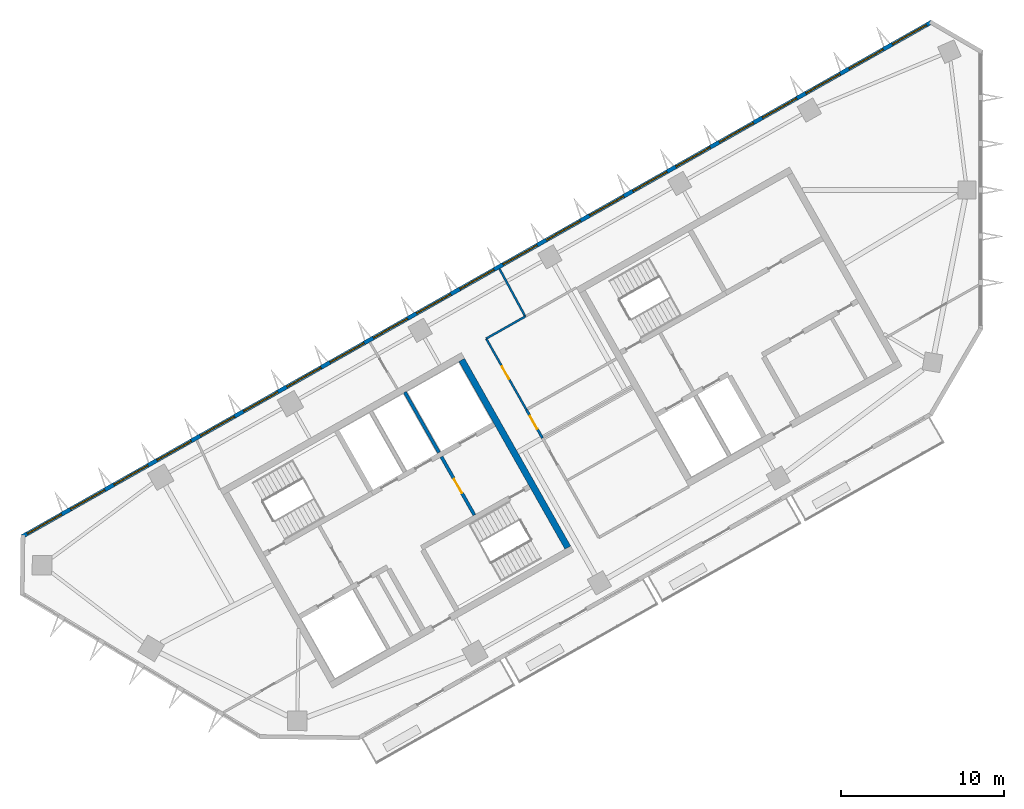
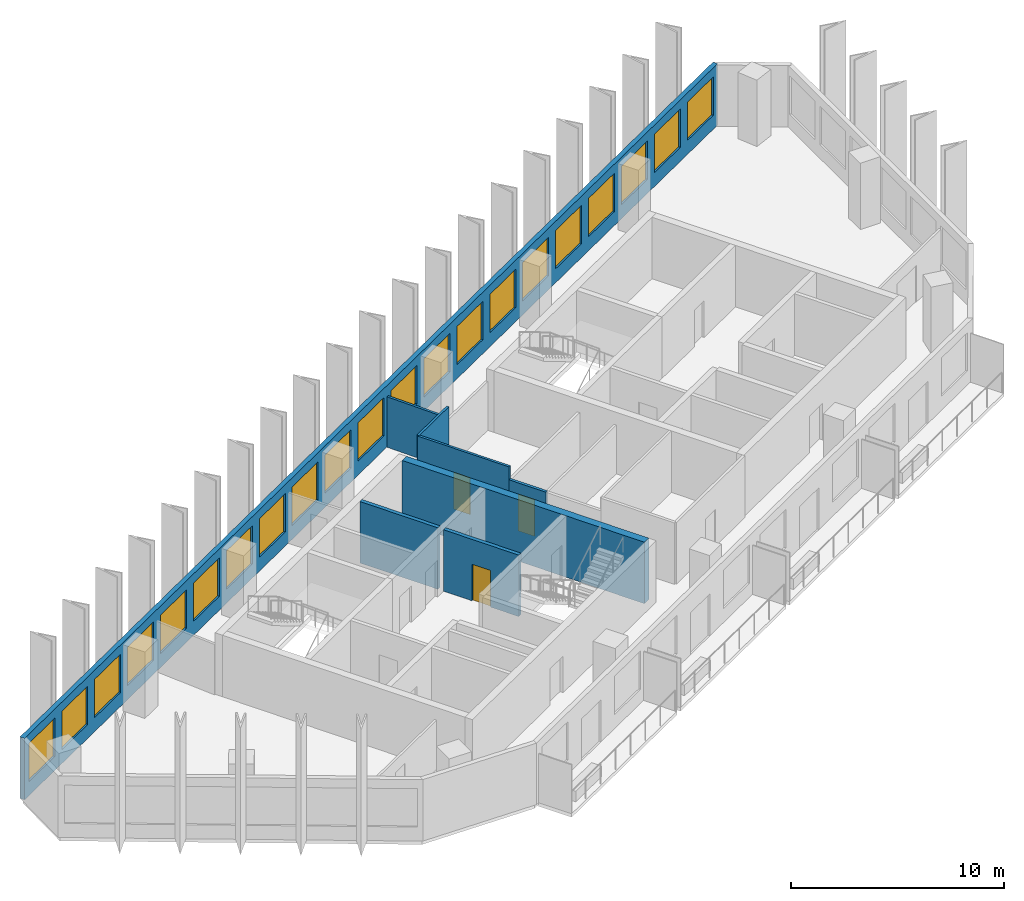
# One storey, part 3 of 8: 21 windows, 8 walls, 3 doors, 24 openings.
"""IFC4 building model written with IfcOpenShell, lengths in metres."""

from ifc_helpers import new_model, si_unit, direction, frame, frame_2d, origin, place, context, subcontext, project, spatial, rectangle, extrude, material, layer, layer_set, type_object, element, fill, save


model = new_model("IFC4")

# Units and contexts
model_context = context("Model", 3, precision=1e-05, world=origin(), true_north=direction((0.0, 1.0)))
body_context = subcontext(model_context, "Body", "Model", "MODEL_VIEW")
ifc_project = project(units=[si_unit("LENGTHUNIT", "METRE"), si_unit("AREAUNIT", "SQUARE_METRE"), si_unit("VOLUMEUNIT", "CUBIC_METRE"), si_unit("PLANEANGLEUNIT", "RADIAN"), si_unit("MASSUNIT", "GRAM", prefix="KILO")], contexts=[model_context])

# Site, building, storey
site_placement = place(None, origin())
site = spatial("IfcSite", under=ifc_project, at=site_placement, CompositionType="ELEMENT")
building_placement = place(site_placement, origin())
building = spatial("IfcBuilding", under=site, at=building_placement, Name="Binnacle Exchange Tower", CompositionType="ELEMENT")
storey_placement = place(building_placement, frame((0.0, 0.0, 277.89990234375)))
storey = spatial("IfcBuildingStorey", under=building, at=storey_placement, Name="L62", CompositionType="ELEMENT", Elevation=277.89990234375)

# Wall
ifc_material_1 = material(Name="Concrete C70/85", Category="concrete")
ifc_layer_1 = layer(ifc_material_1, 0.39990234375)
ifc_layer_set_1 = layer_set([ifc_layer_1], Name="Core wall - outer 400")
wall_type_1 = type_object("IfcWallType", Name="Core wall - outer 400", PredefinedType="SOLIDWALL", material=ifc_layer_set_1)
wall_1_placement = place(storey_placement, frame((-31.78955078125, 49.597412109375, 0.0), z_axis=(0.0, 0.0, 1.0), x_axis=(0.492421663121, -0.870356769198, 0.0)))
element("IfcWall", 1, at=wall_1_placement, inside=storey, type_object=wall_type_1, Name="Core wall CRWA22", PredefinedType="SOLIDWALL", context=body_context, shape_type="SweptSolid", body=[
    extrude(rectangle(XDim=13.199951171875, YDim=0.39990234375, at=frame_2d((6.60009765625, 0.0))), origin(), (0.0, 0.0, 1.0), 3.52001953125),
])

# Wall, openings, windows
ifc_material_2 = material(Name="Bronze aluminium cladding", Category="aluminium")
ifc_layer_2 = layer(ifc_material_2, 0.25)
ifc_layer_set_2 = layer_set([ifc_layer_2], Name="External wall - window wall 250")
wall_type_2 = type_object("IfcWallType", Name="External wall - window wall 250", PredefinedType="STANDARD", material=ifc_layer_set_2)
wall_2_placement = place(storey_placement, frame((-58.732177734375, 38.770751953125, 0.0), z_axis=(0.0, 0.0, 1.0), x_axis=(0.870355615581, 0.492423702137, 0.0)))
wall_2 = element("IfcWall", 2, at=wall_2_placement, inside=storey, type_object=wall_type_2, Name="External wall EW-H03 L62", PredefinedType="STANDARD", context=body_context, shape_type="SweptSolid", body=[
    extrude(rectangle(XDim=64.052490234375, YDim=0.25, at=frame_2d((32.0263671875, 0.0))), origin(), (0.0, 0.0, 1.0), 3.52001953125),
])
opening_1_placement = place(wall_2_placement, frame((61.25927734375, 0.0, 0.800048828125)))
opening_1 = element("IfcOpeningElement", 3, at=opening_1_placement, cuts=wall_2, Name="Opening WR2", PredefinedType="OPENING", context=body_context, shape_type="SweptSolid", body=[
    extrude(rectangle(XDim=2.39990234375, YDim=2.199951171875, at=frame_2d((1.199951171875, 1.10009765625))), frame((0.0, 0.135009765625, 0.0), z_axis=(0.0, -1.0, 0.0), x_axis=(1.0, 0.0, 0.0)), (0.0, 0.0, 1.0), 0.27001953125),
])
opening_2_placement = place(wall_2_placement, frame((58.2158203125, 0.0, 0.800048828125)))
opening_2 = element("IfcOpeningElement", 4, at=opening_2_placement, cuts=wall_2, Name="Opening WR2", PredefinedType="OPENING", context=body_context, shape_type="SweptSolid", body=[
    extrude(rectangle(XDim=2.39990234375, YDim=2.199951171875, at=frame_2d((1.199951171875, 1.10009765625))), frame((0.0, 0.135009765625, 0.0), z_axis=(0.0, -1.0, 0.0), x_axis=(1.0, 0.0, 0.0)), (0.0, 0.0, 1.0), 0.27001953125),
])
opening_3_placement = place(wall_2_placement, frame((55.172607421875, 0.0, 0.800048828125)))
opening_3 = element("IfcOpeningElement", 5, at=opening_3_placement, cuts=wall_2, Name="Opening WR2", PredefinedType="OPENING", context=body_context, shape_type="SweptSolid", body=[
    extrude(rectangle(XDim=2.39990234375, YDim=2.199951171875, at=frame_2d((1.199951171875, 1.10009765625))), frame((0.0, 0.135009765625, 0.0), z_axis=(0.0, -1.0, 0.0), x_axis=(1.0, 0.0, 0.0)), (0.0, 0.0, 1.0), 0.27001953125),
])
opening_4_placement = place(wall_2_placement, frame((52.12939453125, 0.0, 0.800048828125)))
opening_4 = element("IfcOpeningElement", 6, at=opening_4_placement, cuts=wall_2, Name="Opening WR2", PredefinedType="OPENING", context=body_context, shape_type="SweptSolid", body=[
    extrude(rectangle(XDim=2.39990234375, YDim=2.199951171875, at=frame_2d((1.199951171875, 1.10009765625))), frame((0.0, 0.135009765625, 0.0), z_axis=(0.0, -1.0, 0.0), x_axis=(1.0, 0.0, 0.0)), (0.0, 0.0, 1.0), 0.27001953125),
])
opening_5_placement = place(wall_2_placement, frame((49.0859375, 0.0, 0.800048828125)))
opening_5 = element("IfcOpeningElement", 7, at=opening_5_placement, cuts=wall_2, Name="Opening WR2", PredefinedType="OPENING", context=body_context, shape_type="SweptSolid", body=[
    extrude(rectangle(XDim=2.39990234375, YDim=2.199951171875, at=frame_2d((1.199951171875, 1.10009765625))), frame((0.0, 0.135009765625, 0.0), z_axis=(0.0, -1.0, 0.0), x_axis=(1.0, 0.0, 0.0)), (0.0, 0.0, 1.0), 0.27001953125),
])
opening_6_placement = place(wall_2_placement, frame((46.042724609375, 0.0, 0.800048828125)))
opening_6 = element("IfcOpeningElement", 8, at=opening_6_placement, cuts=wall_2, Name="Opening WR2", PredefinedType="OPENING", context=body_context, shape_type="SweptSolid", body=[
    extrude(rectangle(XDim=2.39990234375, YDim=2.199951171875, at=frame_2d((1.199951171875, 1.10009765625))), frame((0.0, 0.135009765625, 0.0), z_axis=(0.0, -1.0, 0.0), x_axis=(1.0, 0.0, 0.0)), (0.0, 0.0, 1.0), 0.27001953125),
])
opening_7_placement = place(wall_2_placement, frame((42.99951171875, 0.0, 0.800048828125)))
opening_7 = element("IfcOpeningElement", 9, at=opening_7_placement, cuts=wall_2, Name="Opening WR2", PredefinedType="OPENING", context=body_context, shape_type="SweptSolid", body=[
    extrude(rectangle(XDim=2.39990234375, YDim=2.199951171875, at=frame_2d((1.199951171875, 1.10009765625))), frame((0.0, 0.135009765625, 0.0), z_axis=(0.0, -1.0, 0.0), x_axis=(1.0, 0.0, 0.0)), (0.0, 0.0, 1.0), 0.27001953125),
])
opening_8_placement = place(wall_2_placement, frame((39.956298828125, 0.0, 0.800048828125)))
opening_8 = element("IfcOpeningElement", 10, at=opening_8_placement, cuts=wall_2, Name="Opening WR2", PredefinedType="OPENING", context=body_context, shape_type="SweptSolid", body=[
    extrude(rectangle(XDim=2.39990234375, YDim=2.199951171875, at=frame_2d((1.199951171875, 1.10009765625))), frame((0.0, 0.135009765625, 0.0), z_axis=(0.0, -1.0, 0.0), x_axis=(1.0, 0.0, 0.0)), (0.0, 0.0, 1.0), 0.27001953125),
])
opening_9_placement = place(wall_2_placement, frame((36.912841796875, 0.0, 0.800048828125)))
opening_9 = element("IfcOpeningElement", 11, at=opening_9_placement, cuts=wall_2, Name="Opening WR2", PredefinedType="OPENING", context=body_context, shape_type="SweptSolid", body=[
    extrude(rectangle(XDim=2.39990234375, YDim=2.199951171875, at=frame_2d((1.199951171875, 1.10009765625))), frame((0.0, 0.135009765625, 0.0), z_axis=(0.0, -1.0, 0.0), x_axis=(1.0, 0.0, 0.0)), (0.0, 0.0, 1.0), 0.27001953125),
])
opening_10_placement = place(wall_2_placement, frame((33.86962890625, 0.0, 0.800048828125)))
opening_10 = element("IfcOpeningElement", 12, at=opening_10_placement, cuts=wall_2, Name="Opening WR2", PredefinedType="OPENING", context=body_context, shape_type="SweptSolid", body=[
    extrude(rectangle(XDim=2.39990234375, YDim=2.199951171875, at=frame_2d((1.199951171875, 1.10009765625))), frame((0.0, 0.135009765625, 0.0), z_axis=(0.0, -1.0, 0.0), x_axis=(1.0, 0.0, 0.0)), (0.0, 0.0, 1.0), 0.27001953125),
])
opening_11_placement = place(wall_2_placement, frame((30.826416015625, 0.0, 0.800048828125)))
opening_11 = element("IfcOpeningElement", 13, at=opening_11_placement, cuts=wall_2, Name="Opening WR2", PredefinedType="OPENING", context=body_context, shape_type="SweptSolid", body=[
    extrude(rectangle(XDim=2.39990234375, YDim=2.199951171875, at=frame_2d((1.199951171875, 1.10009765625))), frame((0.0, 0.135009765625, 0.0), z_axis=(0.0, -1.0, 0.0), x_axis=(1.0, 0.0, 0.0)), (0.0, 0.0, 1.0), 0.27001953125),
])
opening_12_placement = place(wall_2_placement, frame((27.782958984375, 0.0, 0.800048828125)))
opening_12 = element("IfcOpeningElement", 14, at=opening_12_placement, cuts=wall_2, Name="Opening WR2", PredefinedType="OPENING", context=body_context, shape_type="SweptSolid", body=[
    extrude(rectangle(XDim=2.39990234375, YDim=2.199951171875, at=frame_2d((1.199951171875, 1.10009765625))), frame((0.0, 0.135009765625, 0.0), z_axis=(0.0, -1.0, 0.0), x_axis=(1.0, 0.0, 0.0)), (0.0, 0.0, 1.0), 0.27001953125),
])
opening_13_placement = place(wall_2_placement, frame((24.73974609375, 0.0, 0.800048828125)))
opening_13 = element("IfcOpeningElement", 15, at=opening_13_placement, cuts=wall_2, Name="Opening WR2", PredefinedType="OPENING", context=body_context, shape_type="SweptSolid", body=[
    extrude(rectangle(XDim=2.39990234375, YDim=2.199951171875, at=frame_2d((1.199951171875, 1.10009765625))), frame((0.0, 0.135009765625, 0.0), z_axis=(0.0, -1.0, 0.0), x_axis=(1.0, 0.0, 0.0)), (0.0, 0.0, 1.0), 0.27001953125),
])
opening_14_placement = place(wall_2_placement, frame((21.6962890625, 0.0, 0.800048828125)))
opening_14 = element("IfcOpeningElement", 16, at=opening_14_placement, cuts=wall_2, Name="Opening WR2", PredefinedType="OPENING", context=body_context, shape_type="SweptSolid", body=[
    extrude(rectangle(XDim=2.39990234375, YDim=2.199951171875, at=frame_2d((1.199951171875, 1.10009765625))), frame((0.0, 0.135009765625, 0.0), z_axis=(0.0, -1.0, 0.0), x_axis=(1.0, 0.0, 0.0)), (0.0, 0.0, 1.0), 0.27001953125),
])
opening_15_placement = place(wall_2_placement, frame((18.6533203125, 0.0, 0.800048828125)))
opening_15 = element("IfcOpeningElement", 17, at=opening_15_placement, cuts=wall_2, Name="Opening WR2", PredefinedType="OPENING", context=body_context, shape_type="SweptSolid", body=[
    extrude(rectangle(XDim=2.39990234375, YDim=2.199951171875, at=frame_2d((1.199951171875, 1.10009765625))), frame((0.0, 0.135009765625, 0.0), z_axis=(0.0, -1.0, 0.0), x_axis=(1.0, 0.0, 0.0)), (0.0, 0.0, 1.0), 0.27001953125),
])
opening_16_placement = place(wall_2_placement, frame((15.60986328125, 0.0, 0.800048828125)))
opening_16 = element("IfcOpeningElement", 18, at=opening_16_placement, cuts=wall_2, Name="Opening WR2", PredefinedType="OPENING", context=body_context, shape_type="SweptSolid", body=[
    extrude(rectangle(XDim=2.39990234375, YDim=2.199951171875, at=frame_2d((1.199951171875, 1.10009765625))), frame((0.0, 0.135009765625, 0.0), z_axis=(0.0, -1.0, 0.0), x_axis=(1.0, 0.0, 0.0)), (0.0, 0.0, 1.0), 0.27001953125),
])
opening_17_placement = place(wall_2_placement, frame((12.566650390625, 0.0, 0.800048828125)))
opening_17 = element("IfcOpeningElement", 19, at=opening_17_placement, cuts=wall_2, Name="Opening WR2", PredefinedType="OPENING", context=body_context, shape_type="SweptSolid", body=[
    extrude(rectangle(XDim=2.39990234375, YDim=2.199951171875, at=frame_2d((1.199951171875, 1.10009765625))), frame((0.0, 0.135009765625, 0.0), z_axis=(0.0, -1.0, 0.0), x_axis=(1.0, 0.0, 0.0)), (0.0, 0.0, 1.0), 0.27001953125),
])
opening_18_placement = place(wall_2_placement, frame((9.523193359375, 0.0, 0.800048828125)))
opening_18 = element("IfcOpeningElement", 20, at=opening_18_placement, cuts=wall_2, Name="Opening WR2", PredefinedType="OPENING", context=body_context, shape_type="SweptSolid", body=[
    extrude(rectangle(XDim=2.39990234375, YDim=2.199951171875, at=frame_2d((1.199951171875, 1.10009765625))), frame((0.0, 0.135009765625, 0.0), z_axis=(0.0, -1.0, 0.0), x_axis=(1.0, 0.0, 0.0)), (0.0, 0.0, 1.0), 0.27001953125),
])
opening_19_placement = place(wall_2_placement, frame((6.47998046875, 0.0, 0.800048828125)))
opening_19 = element("IfcOpeningElement", 21, at=opening_19_placement, cuts=wall_2, Name="Opening WR2", PredefinedType="OPENING", context=body_context, shape_type="SweptSolid", body=[
    extrude(rectangle(XDim=2.39990234375, YDim=2.199951171875, at=frame_2d((1.199951171875, 1.10009765625))), frame((0.0, 0.135009765625, 0.0), z_axis=(0.0, -1.0, 0.0), x_axis=(1.0, 0.0, 0.0)), (0.0, 0.0, 1.0), 0.27001953125),
])
opening_20_placement = place(wall_2_placement, frame((3.436767578125, 0.0, 0.800048828125)))
opening_20 = element("IfcOpeningElement", 22, at=opening_20_placement, cuts=wall_2, Name="Opening WR2", PredefinedType="OPENING", context=body_context, shape_type="SweptSolid", body=[
    extrude(rectangle(XDim=2.39990234375, YDim=2.199951171875, at=frame_2d((1.199951171875, 1.10009765625))), frame((0.0, 0.135009765625, 0.0), z_axis=(0.0, -1.0, 0.0), x_axis=(1.0, 0.0, 0.0)), (0.0, 0.0, 1.0), 0.27001953125),
])
opening_21_placement = place(wall_2_placement, frame((0.393310546875, 0.0, 0.800048828125)))
opening_21 = element("IfcOpeningElement", 23, at=opening_21_placement, cuts=wall_2, Name="Opening WR2", PredefinedType="OPENING", context=body_context, shape_type="SweptSolid", body=[
    extrude(rectangle(XDim=2.39990234375, YDim=2.199951171875, at=frame_2d((1.199951171875, 1.10009765625))), frame((0.0, 0.135009765625, 0.0), z_axis=(0.0, -1.0, 0.0), x_axis=(1.0, 0.0, 0.0)), (0.0, 0.0, 1.0), 0.27001953125),
])
ifc_material_3 = material(Name="Bronze anodised aluminium frame", Category="aluminium")
window_type = type_object("IfcWindowType", Name="WR2 WINDOW 2400x2200", PartitioningType="SINGLE_PANEL", PredefinedType="WINDOW", material=ifc_material_3)
window_1_placement = place(opening_1_placement, origin())
window_1 = element("IfcWindow", 24, at=window_1_placement, inside=storey, type_object=window_type, Name="Window WR2 L62", OverallHeight=2.199951171875, OverallWidth=2.39990234375, PartitioningType="SINGLE_PANEL", PredefinedType="WINDOW", context=body_context, shape_type="SweptSolid", body=[
    extrude(rectangle(XDim=2.39990234375, YDim=2.199951171875, at=frame_2d((1.199951171875, 1.10009765625))), frame((0.0, 0.030029296875, 0.0), z_axis=(0.0, -1.0, 0.0), x_axis=(1.0, 0.0, 0.0)), (0.0, 0.0, 1.0), 0.06005859375),
])
fill(opening_1, window_1)
window_2_placement = place(opening_2_placement, origin())
window_2 = element("IfcWindow", 25, at=window_2_placement, inside=storey, type_object=window_type, Name="Window WR2 L62", OverallHeight=2.199951171875, OverallWidth=2.39990234375, PartitioningType="SINGLE_PANEL", PredefinedType="WINDOW", context=body_context, shape_type="SweptSolid", body=[
    extrude(rectangle(XDim=2.39990234375, YDim=2.199951171875, at=frame_2d((1.199951171875, 1.10009765625))), frame((0.0, 0.030029296875, 0.0), z_axis=(0.0, -1.0, 0.0), x_axis=(1.0, 0.0, 0.0)), (0.0, 0.0, 1.0), 0.06005859375),
])
fill(opening_2, window_2)
window_3_placement = place(opening_3_placement, origin())
window_3 = element("IfcWindow", 26, at=window_3_placement, inside=storey, type_object=window_type, Name="Window WR2 L62", OverallHeight=2.199951171875, OverallWidth=2.39990234375, PartitioningType="SINGLE_PANEL", PredefinedType="WINDOW", context=body_context, shape_type="SweptSolid", body=[
    extrude(rectangle(XDim=2.39990234375, YDim=2.199951171875, at=frame_2d((1.199951171875, 1.10009765625))), frame((0.0, 0.030029296875, 0.0), z_axis=(0.0, -1.0, 0.0), x_axis=(1.0, 0.0, 0.0)), (0.0, 0.0, 1.0), 0.06005859375),
])
fill(opening_3, window_3)
window_4_placement = place(opening_4_placement, origin())
window_4 = element("IfcWindow", 27, at=window_4_placement, inside=storey, type_object=window_type, Name="Window WR2 L62", OverallHeight=2.199951171875, OverallWidth=2.39990234375, PartitioningType="SINGLE_PANEL", PredefinedType="WINDOW", context=body_context, shape_type="SweptSolid", body=[
    extrude(rectangle(XDim=2.39990234375, YDim=2.199951171875, at=frame_2d((1.199951171875, 1.10009765625))), frame((0.0, 0.030029296875, 0.0), z_axis=(0.0, -1.0, 0.0), x_axis=(1.0, 0.0, 0.0)), (0.0, 0.0, 1.0), 0.06005859375),
])
fill(opening_4, window_4)
window_5_placement = place(opening_5_placement, origin())
window_5 = element("IfcWindow", 28, at=window_5_placement, inside=storey, type_object=window_type, Name="Window WR2 L62", OverallHeight=2.199951171875, OverallWidth=2.39990234375, PartitioningType="SINGLE_PANEL", PredefinedType="WINDOW", context=body_context, shape_type="SweptSolid", body=[
    extrude(rectangle(XDim=2.39990234375, YDim=2.199951171875, at=frame_2d((1.199951171875, 1.10009765625))), frame((0.0, 0.030029296875, 0.0), z_axis=(0.0, -1.0, 0.0), x_axis=(1.0, 0.0, 0.0)), (0.0, 0.0, 1.0), 0.06005859375),
])
fill(opening_5, window_5)
window_6_placement = place(opening_6_placement, origin())
window_6 = element("IfcWindow", 29, at=window_6_placement, inside=storey, type_object=window_type, Name="Window WR2 L62", OverallHeight=2.199951171875, OverallWidth=2.39990234375, PartitioningType="SINGLE_PANEL", PredefinedType="WINDOW", context=body_context, shape_type="SweptSolid", body=[
    extrude(rectangle(XDim=2.39990234375, YDim=2.199951171875, at=frame_2d((1.199951171875, 1.10009765625))), frame((0.0, 0.030029296875, 0.0), z_axis=(0.0, -1.0, 0.0), x_axis=(1.0, 0.0, 0.0)), (0.0, 0.0, 1.0), 0.06005859375),
])
fill(opening_6, window_6)
window_7_placement = place(opening_7_placement, origin())
window_7 = element("IfcWindow", 30, at=window_7_placement, inside=storey, type_object=window_type, Name="Window WR2 L62", OverallHeight=2.199951171875, OverallWidth=2.39990234375, PartitioningType="SINGLE_PANEL", PredefinedType="WINDOW", context=body_context, shape_type="SweptSolid", body=[
    extrude(rectangle(XDim=2.39990234375, YDim=2.199951171875, at=frame_2d((1.199951171875, 1.10009765625))), frame((0.0, 0.030029296875, 0.0), z_axis=(0.0, -1.0, 0.0), x_axis=(1.0, 0.0, 0.0)), (0.0, 0.0, 1.0), 0.06005859375),
])
fill(opening_7, window_7)
window_8_placement = place(opening_8_placement, origin())
window_8 = element("IfcWindow", 31, at=window_8_placement, inside=storey, type_object=window_type, Name="Window WR2 L62", OverallHeight=2.199951171875, OverallWidth=2.39990234375, PartitioningType="SINGLE_PANEL", PredefinedType="WINDOW", context=body_context, shape_type="SweptSolid", body=[
    extrude(rectangle(XDim=2.39990234375, YDim=2.199951171875, at=frame_2d((1.199951171875, 1.10009765625))), frame((0.0, 0.030029296875, 0.0), z_axis=(0.0, -1.0, 0.0), x_axis=(1.0, 0.0, 0.0)), (0.0, 0.0, 1.0), 0.06005859375),
])
fill(opening_8, window_8)
window_9_placement = place(opening_9_placement, origin())
window_9 = element("IfcWindow", 32, at=window_9_placement, inside=storey, type_object=window_type, Name="Window WR2 L62", OverallHeight=2.199951171875, OverallWidth=2.39990234375, PartitioningType="SINGLE_PANEL", PredefinedType="WINDOW", context=body_context, shape_type="SweptSolid", body=[
    extrude(rectangle(XDim=2.39990234375, YDim=2.199951171875, at=frame_2d((1.199951171875, 1.10009765625))), frame((0.0, 0.030029296875, 0.0), z_axis=(0.0, -1.0, 0.0), x_axis=(1.0, 0.0, 0.0)), (0.0, 0.0, 1.0), 0.06005859375),
])
fill(opening_9, window_9)
window_10_placement = place(opening_10_placement, origin())
window_10 = element("IfcWindow", 33, at=window_10_placement, inside=storey, type_object=window_type, Name="Window WR2 L62", OverallHeight=2.199951171875, OverallWidth=2.39990234375, PartitioningType="SINGLE_PANEL", PredefinedType="WINDOW", context=body_context, shape_type="SweptSolid", body=[
    extrude(rectangle(XDim=2.39990234375, YDim=2.199951171875, at=frame_2d((1.199951171875, 1.10009765625))), frame((0.0, 0.030029296875, 0.0), z_axis=(0.0, -1.0, 0.0), x_axis=(1.0, 0.0, 0.0)), (0.0, 0.0, 1.0), 0.06005859375),
])
fill(opening_10, window_10)
window_11_placement = place(opening_11_placement, origin())
window_11 = element("IfcWindow", 34, at=window_11_placement, inside=storey, type_object=window_type, Name="Window WR2 L62", OverallHeight=2.199951171875, OverallWidth=2.39990234375, PartitioningType="SINGLE_PANEL", PredefinedType="WINDOW", context=body_context, shape_type="SweptSolid", body=[
    extrude(rectangle(XDim=2.39990234375, YDim=2.199951171875, at=frame_2d((1.199951171875, 1.10009765625))), frame((0.0, 0.030029296875, 0.0), z_axis=(0.0, -1.0, 0.0), x_axis=(1.0, 0.0, 0.0)), (0.0, 0.0, 1.0), 0.06005859375),
])
fill(opening_11, window_11)
window_12_placement = place(opening_12_placement, origin())
window_12 = element("IfcWindow", 35, at=window_12_placement, inside=storey, type_object=window_type, Name="Window WR2 L62", OverallHeight=2.199951171875, OverallWidth=2.39990234375, PartitioningType="SINGLE_PANEL", PredefinedType="WINDOW", context=body_context, shape_type="SweptSolid", body=[
    extrude(rectangle(XDim=2.39990234375, YDim=2.199951171875, at=frame_2d((1.199951171875, 1.10009765625))), frame((0.0, 0.030029296875, 0.0), z_axis=(0.0, -1.0, 0.0), x_axis=(1.0, 0.0, 0.0)), (0.0, 0.0, 1.0), 0.06005859375),
])
fill(opening_12, window_12)
window_13_placement = place(opening_13_placement, origin())
window_13 = element("IfcWindow", 36, at=window_13_placement, inside=storey, type_object=window_type, Name="Window WR2 L62", OverallHeight=2.199951171875, OverallWidth=2.39990234375, PartitioningType="SINGLE_PANEL", PredefinedType="WINDOW", context=body_context, shape_type="SweptSolid", body=[
    extrude(rectangle(XDim=2.39990234375, YDim=2.199951171875, at=frame_2d((1.199951171875, 1.10009765625))), frame((0.0, 0.030029296875, 0.0), z_axis=(0.0, -1.0, 0.0), x_axis=(1.0, 0.0, 0.0)), (0.0, 0.0, 1.0), 0.06005859375),
])
fill(opening_13, window_13)
window_14_placement = place(opening_14_placement, origin())
window_14 = element("IfcWindow", 37, at=window_14_placement, inside=storey, type_object=window_type, Name="Window WR2 L62", OverallHeight=2.199951171875, OverallWidth=2.39990234375, PartitioningType="SINGLE_PANEL", PredefinedType="WINDOW", context=body_context, shape_type="SweptSolid", body=[
    extrude(rectangle(XDim=2.39990234375, YDim=2.199951171875, at=frame_2d((1.199951171875, 1.10009765625))), frame((0.0, 0.030029296875, 0.0), z_axis=(0.0, -1.0, 0.0), x_axis=(1.0, 0.0, 0.0)), (0.0, 0.0, 1.0), 0.06005859375),
])
fill(opening_14, window_14)
window_15_placement = place(opening_15_placement, origin())
window_15 = element("IfcWindow", 38, at=window_15_placement, inside=storey, type_object=window_type, Name="Window WR2 L62", OverallHeight=2.199951171875, OverallWidth=2.39990234375, PartitioningType="SINGLE_PANEL", PredefinedType="WINDOW", context=body_context, shape_type="SweptSolid", body=[
    extrude(rectangle(XDim=2.39990234375, YDim=2.199951171875, at=frame_2d((1.199951171875, 1.10009765625))), frame((0.0, 0.030029296875, 0.0), z_axis=(0.0, -1.0, 0.0), x_axis=(1.0, 0.0, 0.0)), (0.0, 0.0, 1.0), 0.06005859375),
])
fill(opening_15, window_15)
window_16_placement = place(opening_16_placement, origin())
window_16 = element("IfcWindow", 39, at=window_16_placement, inside=storey, type_object=window_type, Name="Window WR2 L62", OverallHeight=2.199951171875, OverallWidth=2.39990234375, PartitioningType="SINGLE_PANEL", PredefinedType="WINDOW", context=body_context, shape_type="SweptSolid", body=[
    extrude(rectangle(XDim=2.39990234375, YDim=2.199951171875, at=frame_2d((1.199951171875, 1.10009765625))), frame((0.0, 0.030029296875, 0.0), z_axis=(0.0, -1.0, 0.0), x_axis=(1.0, 0.0, 0.0)), (0.0, 0.0, 1.0), 0.06005859375),
])
fill(opening_16, window_16)
window_17_placement = place(opening_17_placement, origin())
window_17 = element("IfcWindow", 40, at=window_17_placement, inside=storey, type_object=window_type, Name="Window WR2 L62", OverallHeight=2.199951171875, OverallWidth=2.39990234375, PartitioningType="SINGLE_PANEL", PredefinedType="WINDOW", context=body_context, shape_type="SweptSolid", body=[
    extrude(rectangle(XDim=2.39990234375, YDim=2.199951171875, at=frame_2d((1.199951171875, 1.10009765625))), frame((0.0, 0.030029296875, 0.0), z_axis=(0.0, -1.0, 0.0), x_axis=(1.0, 0.0, 0.0)), (0.0, 0.0, 1.0), 0.06005859375),
])
fill(opening_17, window_17)
window_18_placement = place(opening_18_placement, origin())
window_18 = element("IfcWindow", 41, at=window_18_placement, inside=storey, type_object=window_type, Name="Window WR2 L62", OverallHeight=2.199951171875, OverallWidth=2.39990234375, PartitioningType="SINGLE_PANEL", PredefinedType="WINDOW", context=body_context, shape_type="SweptSolid", body=[
    extrude(rectangle(XDim=2.39990234375, YDim=2.199951171875, at=frame_2d((1.199951171875, 1.10009765625))), frame((0.0, 0.030029296875, 0.0), z_axis=(0.0, -1.0, 0.0), x_axis=(1.0, 0.0, 0.0)), (0.0, 0.0, 1.0), 0.06005859375),
])
fill(opening_18, window_18)
window_19_placement = place(opening_19_placement, origin())
window_19 = element("IfcWindow", 42, at=window_19_placement, inside=storey, type_object=window_type, Name="Window WR2 L62", OverallHeight=2.199951171875, OverallWidth=2.39990234375, PartitioningType="SINGLE_PANEL", PredefinedType="WINDOW", context=body_context, shape_type="SweptSolid", body=[
    extrude(rectangle(XDim=2.39990234375, YDim=2.199951171875, at=frame_2d((1.199951171875, 1.10009765625))), frame((0.0, 0.030029296875, 0.0), z_axis=(0.0, -1.0, 0.0), x_axis=(1.0, 0.0, 0.0)), (0.0, 0.0, 1.0), 0.06005859375),
])
fill(opening_19, window_19)
window_20_placement = place(opening_20_placement, origin())
window_20 = element("IfcWindow", 43, at=window_20_placement, inside=storey, type_object=window_type, Name="Window WR2 L62", OverallHeight=2.199951171875, OverallWidth=2.39990234375, PartitioningType="SINGLE_PANEL", PredefinedType="WINDOW", context=body_context, shape_type="SweptSolid", body=[
    extrude(rectangle(XDim=2.39990234375, YDim=2.199951171875, at=frame_2d((1.199951171875, 1.10009765625))), frame((0.0, 0.030029296875, 0.0), z_axis=(0.0, -1.0, 0.0), x_axis=(1.0, 0.0, 0.0)), (0.0, 0.0, 1.0), 0.06005859375),
])
fill(opening_20, window_20)
window_21_placement = place(opening_21_placement, origin())
window_21 = element("IfcWindow", 44, at=window_21_placement, inside=storey, type_object=window_type, Name="Window WR2 L62", OverallHeight=2.199951171875, OverallWidth=2.39990234375, PartitioningType="SINGLE_PANEL", PredefinedType="WINDOW", context=body_context, shape_type="SweptSolid", body=[
    extrude(rectangle(XDim=2.39990234375, YDim=2.199951171875, at=frame_2d((1.199951171875, 1.10009765625))), frame((0.0, 0.030029296875, 0.0), z_axis=(0.0, -1.0, 0.0), x_axis=(1.0, 0.0, 0.0)), (0.0, 0.0, 1.0), 0.06005859375),
])
fill(opening_21, window_21)

# Wall, opening, door
ifc_material_4 = material(Name="Masonry block wall", Category="masonry")
ifc_layer_3 = layer(ifc_material_4, 0.199951171875)
ifc_layer_set_3 = layer_set([ifc_layer_3], Name="Fire wall - vestibule 200")
wall_type_3 = type_object("IfcWallType", Name="Fire wall - vestibule 200", PredefinedType="PARTITIONING", material=ifc_layer_set_3)
wall_3_placement = place(storey_placement, frame((-33.030517578125, 43.66748046875, 0.0), z_axis=(0.0, 0.0, 1.0), x_axis=(0.492408451753, -0.87036424366, 0.0)))
wall_3 = element("IfcWall", 45, at=wall_3_placement, inside=storey, type_object=wall_type_3, Name="Core wall CRWA19", PredefinedType="PARTITIONING", context=body_context, shape_type="SweptSolid", body=[
    extrude(rectangle(XDim=4.099853515625, YDim=0.199951171875, at=frame_2d((2.0498046875, 0.0))), origin(), (0.0, 0.0, 1.0), 3.52001953125),
])
opening_22_placement = place(wall_3_placement, frame((1.550048828125, 0.0, 0.0)))
opening_22 = element("IfcOpeningElement", 46, at=opening_22_placement, cuts=wall_3, Name="Opening DA4", PredefinedType="OPENING", context=body_context, shape_type="SweptSolid", body=[
    extrude(rectangle(XDim=1.0, YDim=2.10009765625, at=frame_2d((0.5, 1.050048828125))), frame((0.0, 0.10986328125, 0.0), z_axis=(0.0, -1.0, 0.0), x_axis=(1.0, 0.0, 0.0)), (0.0, 0.0, 1.0), 0.219970703125),
])
ifc_material_5 = material(Name="Steel door leaf", Category="steel")
door_type_1 = type_object("IfcDoorType", Name="Fire door 1000", OperationType="NOTDEFINED", PredefinedType="DOOR", material=ifc_material_5)
door_1_placement = place(opening_22_placement, origin())
door_1 = element("IfcDoor", 47, at=door_1_placement, inside=storey, type_object=door_type_1, Name="Vestibule door VEST-E", OperationType="SINGLE_SWING_RIGHT", OverallHeight=2.10009765625, OverallWidth=1.0, PredefinedType="DOOR", context=body_context, shape_type="SweptSolid", body=[
    extrude(rectangle(XDim=1.0, YDim=2.10009765625, at=frame_2d((0.5, 1.050048828125))), frame((0.0, 0.02490234375, 0.0), z_axis=(0.0, -1.0, 0.0), x_axis=(1.0, 0.0, 0.0)), (0.0, 0.0, 1.0), 0.050048828125),
])
fill(opening_22, door_1)

ifc_material_6 = material(Name="Gypsum partition fire rated")
ifc_layer_4 = layer(ifc_material_6, 0.14990234375)
ifc_layer_set_4 = layer_set([ifc_layer_4], Name="Fire-rated partition 150")
wall_type_4 = type_object("IfcWallType", Name="Fire-rated partition 150", PredefinedType="PARTITIONING", material=ifc_layer_set_4)
wall_4_placement = place(storey_placement, frame((-27.826904296875, 46.553955078125, 0.0), z_axis=(0.0, 0.0, 1.0), x_axis=(0.492374954878, -0.870383193662, 0.0)))
wall_4 = element("IfcWall", 48, at=wall_4_placement, inside=storey, type_object=wall_type_4, Name="Partition W08", PredefinedType="PARTITIONING", context=body_context, shape_type="SweptSolid", body=[
    extrude(rectangle(XDim=2.000244140625, YDim=0.14990234375, at=frame_2d((1.0, 0.0))), origin(), (0.0, 0.0, 1.0), 2.7919921875),
])
opening_23_placement = place(wall_4_placement, frame((0.449951171875, 0.0, 0.0)))
opening_23 = element("IfcOpeningElement", 49, at=opening_23_placement, cuts=wall_4, Name="Opening DL61-06", PredefinedType="OPENING", context=body_context, shape_type="SweptSolid", body=[
    extrude(rectangle(XDim=0.89990234375, YDim=2.10009765625, at=frame_2d((0.449951171875, 1.050048828125))), frame((0.0, 0.0849609375, 0.0), z_axis=(0.0, -1.0, 0.0), x_axis=(1.0, 0.0, 0.0)), (0.0, 0.0, 1.0), 0.169921875),
])
door_type_2 = type_object("IfcDoorType", Name="Fire door 900", OperationType="NOTDEFINED", PredefinedType="DOOR", material=ifc_material_5)
door_2_placement = place(opening_23_placement, origin())
door_2 = element("IfcDoor", 50, at=door_2_placement, inside=storey, type_object=door_type_2, Name="Door DL61-06", OperationType="SINGLE_SWING_LEFT", OverallHeight=2.10009765625, OverallWidth=0.89990234375, PredefinedType="DOOR", context=body_context, shape_type="SweptSolid", body=[
    extrude(rectangle(XDim=0.89990234375, YDim=2.10009765625, at=frame_2d((0.449951171875, 1.050048828125))), frame((0.0, 0.02490234375, 0.0), z_axis=(0.0, -1.0, 0.0), x_axis=(1.0, 0.0, 0.0)), (0.0, 0.0, 1.0), 0.050048828125),
])
fill(opening_23, door_2)

# Wall
ifc_material_7 = material(Name="Gypsum partition")
ifc_layer_5 = layer(ifc_material_7, 0.125)
ifc_layer_set_5 = layer_set([ifc_layer_5], Name="Partition 125")
wall_type_5 = type_object("IfcWallType", Name="Partition 125", PredefinedType="PARTITIONING", material=ifc_layer_set_5)
wall_5_placement = place(storey_placement, frame((-30.2890625, 50.906005859375, 0.0), z_axis=(0.0, 0.0, 1.0), x_axis=(0.870344460795, 0.492443417626, 0.0)))
element("IfcWall", 51, at=wall_5_placement, inside=storey, type_object=wall_type_5, Name="Partition W04", PredefinedType="PARTITIONING", context=body_context, shape_type="SweptSolid", body=[
    extrude(rectangle(XDim=2.74951171875, YDim=0.125, at=frame_2d((1.374755859375, 0.0))), origin(), (0.0, 0.0, 1.0), 3.52001953125),
])

# Wall, opening, door
wall_6_placement = place(storey_placement, frame((-30.2890625, 50.906005859375, 0.0), z_axis=(0.0, 0.0, 1.0), x_axis=(0.492406341242, -0.870365437678, 0.0)))
wall_6 = element("IfcWall", 52, at=wall_6_placement, inside=storey, type_object=wall_type_5, Name="Partition W05", PredefinedType="PARTITIONING", context=body_context, shape_type="SweptSolid", body=[
    extrude(rectangle(XDim=5.000244140625, YDim=0.125, at=frame_2d((2.5, 0.0))), origin(), (0.0, 0.0, 1.0), 3.52001953125),
])
opening_24_placement = place(wall_6_placement, frame((1.949951171875, 0.0, 0.0)))
opening_24 = element("IfcOpeningElement", 53, at=opening_24_placement, cuts=wall_6, Name="Opening DL61-03", PredefinedType="OPENING", context=body_context, shape_type="SweptSolid", body=[
    extrude(rectangle(XDim=0.89990234375, YDim=2.10009765625, at=frame_2d((0.449951171875, 1.050048828125))), frame((0.0, 0.072509765625, 0.0), z_axis=(0.0, -1.0, 0.0), x_axis=(1.0, 0.0, 0.0)), (0.0, 0.0, 1.0), 0.14501953125),
])
ifc_material_8 = material(Name="Timber door leaf", Category="wood")
door_type_3 = type_object("IfcDoorType", Name="Door 900", OperationType="NOTDEFINED", PredefinedType="DOOR", material=ifc_material_8)
door_3_placement = place(opening_24_placement, origin())
door_3 = element("IfcDoor", 54, at=door_3_placement, inside=storey, type_object=door_type_3, Name="Door DL61-03", OperationType="SINGLE_SWING_LEFT", OverallHeight=2.10009765625, OverallWidth=0.89990234375, PredefinedType="DOOR", context=body_context, shape_type="SweptSolid", body=[
    extrude(rectangle(XDim=0.89990234375, YDim=2.10009765625, at=frame_2d((0.449951171875, 1.050048828125))), frame((0.0, 0.02490234375, 0.0), z_axis=(0.0, -1.0, 0.0), x_axis=(1.0, 0.0, 0.0)), (0.0, 0.0, 1.0), 0.050048828125),
])
fill(opening_24, door_3)

# Walls
wall_7_placement = place(storey_placement, frame((-29.47412109375, 55.180908203125, 0.0), z_axis=(0.0, 0.0, 1.0), x_axis=(0.475344759365, -0.879799613403, 0.0)))
element("IfcWall", 55, at=wall_7_placement, inside=storey, type_object=wall_type_5, Name="Partition W06", PredefinedType="PARTITIONING", context=body_context, shape_type="SweptSolid", body=[
    extrude(rectangle(XDim=3.320068359375, YDim=0.125, at=frame_2d((1.66015625, 0.0))), origin(), (0.0, 0.0, 1.0), 2.88818359375),
])
ifc_layer_6 = layer(ifc_material_4, 0.199951171875)
ifc_layer_set_6 = layer_set([ifc_layer_6], Name="Shaft wall 200")
wall_type_6 = type_object("IfcWallType", Name="Shaft wall 200", PredefinedType="SOLIDWALL", material=ifc_layer_set_6)
wall_8_placement = place(storey_placement, frame((-35.27099609375, 47.627685546875, 0.0), z_axis=(0.0, 0.0, 1.0), x_axis=(0.492422543467, -0.870356271124, 0.0)))
element("IfcWall", 56, at=wall_8_placement, inside=storey, type_object=wall_type_6, Name="Core wall CRWA21", PredefinedType="SOLIDWALL", context=body_context, shape_type="SweptSolid", body=[
    extrude(rectangle(XDim=4.25, YDim=0.199951171875, at=frame_2d((2.125, 0.0))), origin(), (0.0, 0.0, 1.0), 3.52001953125),
])

save(model, "model.ifc")
